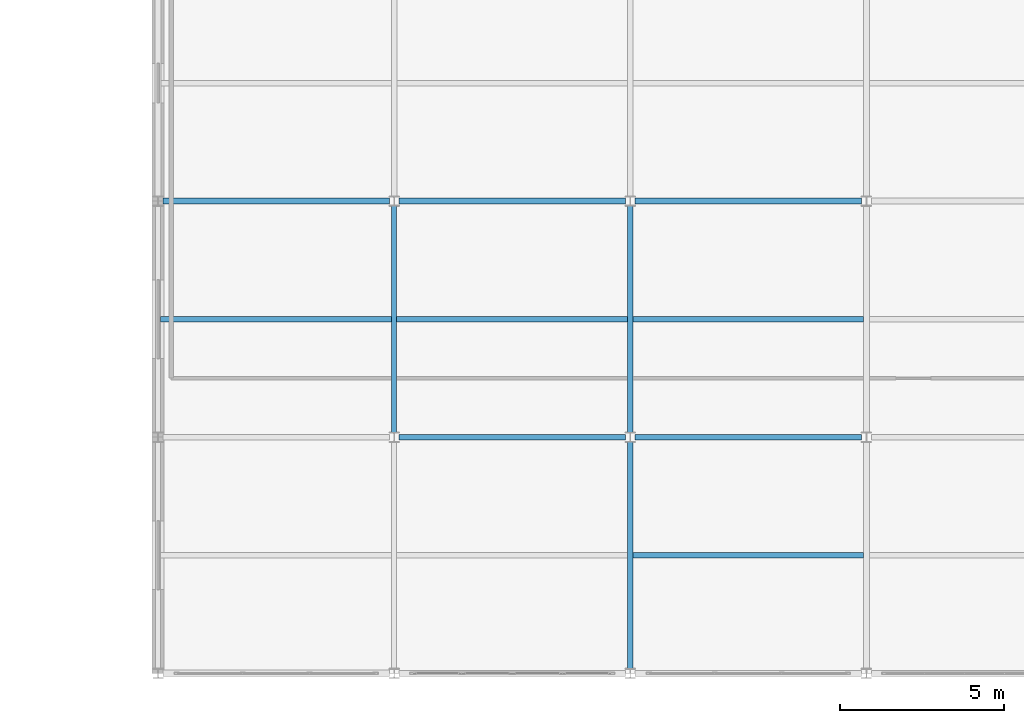
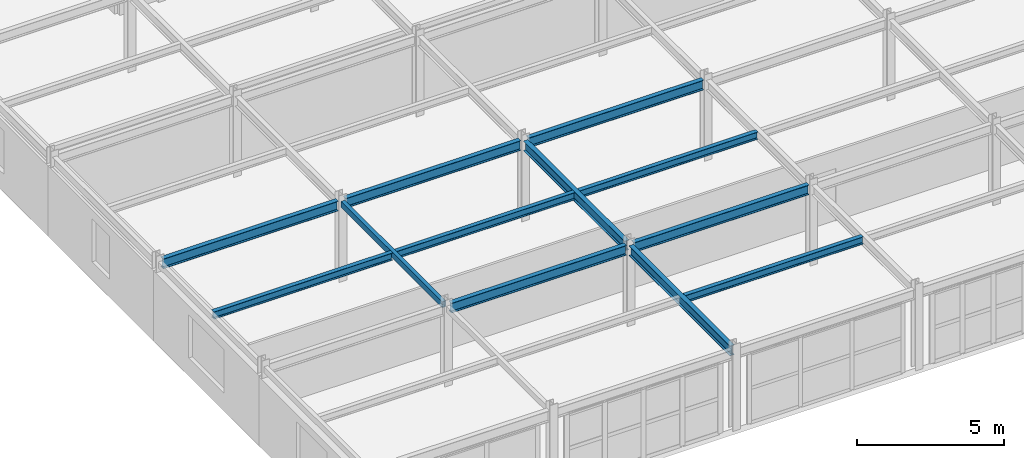
# One storey, part 25 of 73: 12 beams.
"""IFC4 building model written with IfcOpenShell, lengths in metres."""

from ifc_helpers import new_model, si_unit, direction, frame, origin, origin_2d, place, context, subcontext, project, spatial, hollow_rectangle, i_section, extrude, material, material_profile, profile_set, type_object, element, save


model = new_model("IFC4")

# Units and contexts
model_context = context("Model", 3, precision=1e-05, world=origin(), true_north=direction((0.0, 1.0)))
body_context = subcontext(model_context, "Body", "Model", "MODEL_VIEW")
ifc_project = project(units=[si_unit("LENGTHUNIT", "METRE"), si_unit("AREAUNIT", "SQUARE_METRE"), si_unit("VOLUMEUNIT", "CUBIC_METRE"), si_unit("PLANEANGLEUNIT", "RADIAN"), si_unit("MASSUNIT", "GRAM", prefix="KILO")], contexts=[model_context])

# Site, building, storey
site_placement = place(None, origin())
site = spatial("IfcSite", under=ifc_project, at=site_placement, CompositionType="ELEMENT")
building_placement = place(site_placement, origin())
building = spatial("IfcBuilding", under=site, at=building_placement, Name="Carrowvane Square Congress Hotel", CompositionType="ELEMENT")
storey_placement = place(building_placement, frame((0.0, 0.0, 19.199951171875)))
storey = spatial("IfcBuildingStorey", under=building, at=storey_placement, Name="L04", CompositionType="ELEMENT", Elevation=19.199951171875)

# Beams
ifc_material_1 = material(Name="Steel S355", Category="steel")
ifc_material_profile_1 = material_profile(ifc_material_1, hollow_rectangle(XDim=0.14990234375, YDim=0.25, WallThickness=0.012451171875, at=origin_2d()), Name="RHS 250x150x12.5")
ifc_profile_set_1 = profile_set([ifc_material_profile_1], Name="Steel S355")
beam_type_1 = type_object("IfcBeamType", Name="BM-ST-RHS250", PredefinedType="SPANDREL", material=ifc_profile_set_1)
beam_1_placement = place(storey_placement, frame((134.0, 63.14990234375, 3.22509765625), z_axis=(0.0, 1.0, 0.0), x_axis=(-1.0, 0.0, 0.0)))
element("IfcBeam", 1, at=beam_1_placement, inside=storey, type_object=beam_type_1, Name="L05 girder 18/J-K", PredefinedType="SPANDREL", context=body_context, shape_type="SweptSolid", body=[
    extrude(hollow_rectangle(XDim=0.14990234375, YDim=0.25, WallThickness=0.012451171875, at=origin_2d()), origin(), (0.0, 0.0, 1.0), 6.900146484375),
])
ifc_material_2 = material(Name="Steel S355", Category="steel")
ifc_material_profile_2 = material_profile(ifc_material_2, i_section(OverallWidth=0.165771484375, OverallDepth=0.306640625, WebThickness=0.006591796875, FlangeThickness=0.01171875, FilletRadius=0.0087890625, at=origin_2d()), Name="UKB 305x165x46")
ifc_profile_set_2 = profile_set([ifc_material_profile_2], Name="Steel S355")
beam_type_2 = type_object("IfcBeamType", Name="BM-ST-UKB305", PredefinedType="JOIST", material=ifc_profile_set_2)
beam_2_placement = place(storey_placement, frame((126.875, 66.60009765625, 3.19677734375), z_axis=(1.0, 0.0, 0.0), x_axis=(0.0, 1.0, 0.0)))
element("IfcBeam", 2, at=beam_2_placement, inside=storey, type_object=beam_type_2, Name="L05 secondary joist 17-18", PredefinedType="JOIST", context=body_context, shape_type="SweptSolid", body=[
    extrude(i_section(OverallWidth=0.165771484375, OverallDepth=0.306640625, WebThickness=0.006591796875, FlangeThickness=0.01171875, FilletRadius=0.0087890625, at=origin_2d()), origin(), (0.0, 0.0, 1.0), 7.050048828125),
])
beam_3_placement = place(storey_placement, frame((134.074951171875, 66.60009765625, 3.19677734375), z_axis=(1.0, 0.0, 0.0), x_axis=(0.0, 1.0, 0.0)))
element("IfcBeam", 3, at=beam_3_placement, inside=storey, type_object=beam_type_2, Name="L05 secondary joist 18-19", PredefinedType="JOIST", context=body_context, shape_type="SweptSolid", body=[
    extrude(i_section(OverallWidth=0.165771484375, OverallDepth=0.306640625, WebThickness=0.006591796875, FlangeThickness=0.01171875, FilletRadius=0.0087890625, at=origin_2d()), origin(), (0.0, 0.0, 1.0), 7.03564453125),
])
for number, where, z_axis, x_axis, name in (
    (4, (141.289306640625, 59.39990234375, 3.19677734375), (1.0, 0.0, 0.0), (0.0, 1.0, 0.0), "L05 secondary joist 19-20"),
    (5, (141.289306640625, 66.60009765625, 3.19677734375), (1.0, 0.0, 0.0), (0.0, 1.0, 0.0), "L05 secondary joist 19-20"),
):
    element("IfcBeam", number, at=place(storey_placement, frame(where, z_axis=z_axis, x_axis=x_axis)), inside=storey, type_object=beam_type_2, Name=name, PredefinedType="JOIST", context=body_context, shape_type="SweptSolid", body=[
        extrude(i_section(OverallWidth=0.165771484375, OverallDepth=0.306640625, WebThickness=0.006591796875, FlangeThickness=0.01171875, FilletRadius=0.0087890625, at=origin_2d()), origin(), (0.0, 0.0, 1.0), 7.021240234375),
    ])
ifc_material_3 = material(Name="Steel S355", Category="steel")
ifc_material_profile_3 = material_profile(ifc_material_3, i_section(OverallWidth=0.1787109375, OverallDepth=0.409423828125, WebThickness=0.0087890625, FlangeThickness=0.014404296875, FilletRadius=0.01025390625, at=origin_2d()), Name="UKB 406x178x67")
ifc_profile_set_3 = profile_set([ifc_material_profile_3], Name="Steel S355")
beam_type_3 = type_object("IfcBeamType", Name="BM-ST-UKB406", PredefinedType="BEAM", material=ifc_profile_set_3)
beam_4_placement = place(storey_placement, frame((134.14990234375, 63.0, 3.145263671875), z_axis=(1.0, 0.0, 0.0), x_axis=(0.0, 1.0, 0.0)))
element("IfcBeam", 6, at=beam_4_placement, inside=storey, type_object=beam_type_3, Name="L05 girder J/18-19", PredefinedType="BEAM", context=body_context, shape_type="SweptSolid", body=[
    extrude(i_section(OverallWidth=0.1787109375, OverallDepth=0.409423828125, WebThickness=0.0087890625, FlangeThickness=0.014404296875, FilletRadius=0.01025390625, at=origin_2d()), origin(), (0.0, 0.0, 1.0), 6.900146484375),
])
beam_5_placement = place(storey_placement, frame((141.35009765625, 63.0, 3.145263671875), z_axis=(1.0, 0.0, 0.0), x_axis=(0.0, 1.0, 0.0)))
element("IfcBeam", 7, at=beam_5_placement, inside=storey, type_object=beam_type_3, Name="L05 girder J/19-20", PredefinedType="BEAM", context=body_context, shape_type="SweptSolid", body=[
    extrude(i_section(OverallWidth=0.1787109375, OverallDepth=0.409423828125, WebThickness=0.0087890625, FlangeThickness=0.014404296875, FilletRadius=0.01025390625, at=origin_2d()), origin(), (0.0, 0.0, 1.0), 6.89990234375),
])
for number, where, z_axis, x_axis, name in (
    (8, (126.949951171875, 70.199951171875, 3.145263671875), (1.0, 0.0, 0.0), (0.0, 1.0, 0.0), "L05 girder K/17-18"),
    (9, (134.14990234375, 70.199951171875, 3.145263671875), (1.0, 0.0, 0.0), (0.0, 1.0, 0.0), "L05 girder K/18-19"),
):
    element("IfcBeam", number, at=place(storey_placement, frame(where, z_axis=z_axis, x_axis=x_axis)), inside=storey, type_object=beam_type_3, Name=name, PredefinedType="BEAM", context=body_context, shape_type="SweptSolid", body=[
        extrude(i_section(OverallWidth=0.1787109375, OverallDepth=0.409423828125, WebThickness=0.0087890625, FlangeThickness=0.014404296875, FilletRadius=0.01025390625, at=origin_2d()), origin(), (0.0, 0.0, 1.0), 6.900146484375),
    ])
beam_6_placement = place(storey_placement, frame((141.35009765625, 70.199951171875, 3.145263671875), z_axis=(1.0, 0.0, 0.0), x_axis=(0.0, 1.0, 0.0)))
element("IfcBeam", 10, at=beam_6_placement, inside=storey, type_object=beam_type_3, Name="L05 girder K/19-20", PredefinedType="BEAM", context=body_context, shape_type="SweptSolid", body=[
    extrude(i_section(OverallWidth=0.1787109375, OverallDepth=0.409423828125, WebThickness=0.0087890625, FlangeThickness=0.014404296875, FilletRadius=0.01025390625, at=origin_2d()), origin(), (0.0, 0.0, 1.0), 6.89990234375),
])
for number, where, z_axis, x_axis, name in (
    (11, (141.199951171875, 55.949951171875, 3.145263671875), (0.0, 1.0, 0.0), (-1.0, 0.0, 0.0), "L05 girder 19/H-J"),
    (12, (141.199951171875, 63.14990234375, 3.145263671875), (0.0, 1.0, 0.0), (-1.0, 0.0, 0.0), "L05 girder 19/J-K"),
):
    element("IfcBeam", number, at=place(storey_placement, frame(where, z_axis=z_axis, x_axis=x_axis)), inside=storey, type_object=beam_type_3, Name=name, PredefinedType="BEAM", context=body_context, shape_type="SweptSolid", body=[
        extrude(i_section(OverallWidth=0.1787109375, OverallDepth=0.409423828125, WebThickness=0.0087890625, FlangeThickness=0.014404296875, FilletRadius=0.01025390625, at=origin_2d()), origin(), (0.0, 0.0, 1.0), 6.900146484375),
    ])

save(model, "model.ifc")
